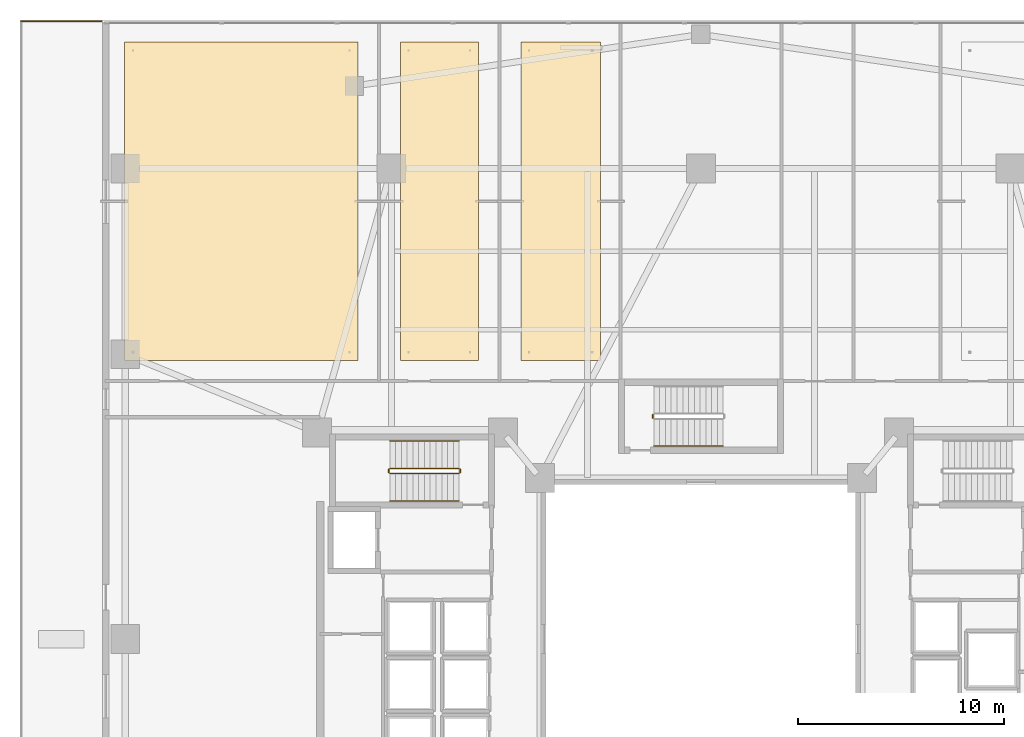
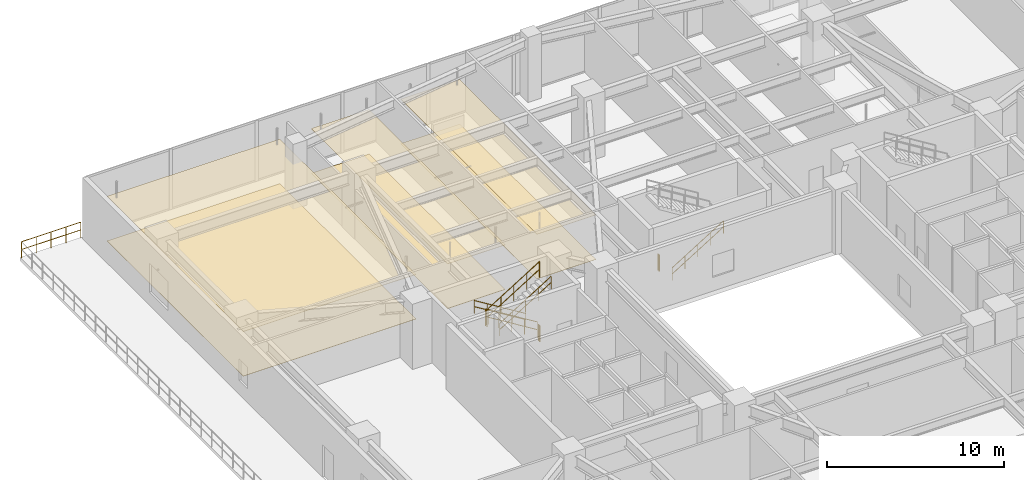
# One storey, part 28 of 29: 9 railings, 6 coverings.
"""IFC4 building model written with IfcOpenShell, lengths in metres."""

from ifc_helpers import new_model, si_unit, direction, frame, origin, origin_2d, place, context, subcontext, project, spatial, polyline, circle, outline, extrude, material, layer, layer_set, type_object, element, save


model = new_model("IFC4")

# Units and contexts
model_context = context("Model", 3, precision=1e-05, world=origin(), true_north=direction((0.0, 1.0)))
body_context = subcontext(model_context, "Body", "Model", "MODEL_VIEW")
ifc_project = project(units=[si_unit("LENGTHUNIT", "METRE"), si_unit("AREAUNIT", "SQUARE_METRE"), si_unit("VOLUMEUNIT", "CUBIC_METRE"), si_unit("PLANEANGLEUNIT", "RADIAN"), si_unit("MASSUNIT", "GRAM", prefix="KILO")], contexts=[model_context])

# Site, building, storey
site_placement = place(None, origin())
site = spatial("IfcSite", under=ifc_project, at=site_placement, CompositionType="ELEMENT")
building_placement = place(site_placement, origin())
building = spatial("IfcBuilding", under=site, at=building_placement, Name="Tarnavaz Court Tower", CompositionType="ELEMENT")
storey_placement = place(building_placement, frame((0.0, 0.0, 5.39990234375)))
storey = spatial("IfcBuildingStorey", under=building, at=storey_placement, Name="L01", CompositionType="ELEMENT", Elevation=5.39990234375)

# Coverings
ifc_material_1 = material(Name="Perforated Gypsum Acoustic Ceiling Tile", Category="masonry")
ifc_layer_1 = layer(ifc_material_1, 0.02490234375)
ifc_layer_set_1 = layer_set([ifc_layer_1], Name="Perforated Gypsum Acoustic Ceiling Tile")
covering_type_1 = type_object("IfcCoveringType", Name="CV-CEIL-AC", PredefinedType="CEILING", material=ifc_layer_set_1)
covering_1_placement = place(storey_placement, frame((0.0, 0.0, 3.080078125)))
element("IfcCovering", 1, at=covering_1_placement, inside=storey, type_object=covering_type_1, Name="L01 Outpatient Clinical Waiting Lounge West Suspended Acoustic Ceiling", PredefinedType="CEILING", context=body_context, shape_type="SweptSolid", body=[
    extrude(outline(polyline([(-27.929931640625, 13.5), (-16.6298828125, 13.5), (-16.6298828125, 28.929931640625), (-27.929931640625, 28.929931640625), (-27.929931640625, 13.5)])), origin(), (0.0, 0.0, 1.0), 0.02490234375),
])
covering_2_placement = place(storey_placement, frame((0.0, 0.0, 3.080078125)))
element("IfcCovering", 2, at=covering_2_placement, inside=storey, type_object=covering_type_1, Name="L01 General Practice Examination Suite Suspended Acoustic Ceiling", PredefinedType="CEILING", context=body_context, shape_type="SweptSolid", body=[
    extrude(outline(polyline([(-14.570068359375, 13.5), (-10.7900390625, 13.5), (-10.7900390625, 28.929931640625), (-14.570068359375, 28.929931640625), (-14.570068359375, 13.5)])), origin(), (0.0, 0.0, 1.0), 0.02490234375),
])
covering_3_placement = place(storey_placement, frame((0.0, 0.0, 3.080078125)))
element("IfcCovering", 3, at=covering_3_placement, inside=storey, type_object=covering_type_1, Name="L01 L01 Consultation Room North Suspended Acoustic Ceiling", PredefinedType="CEILING", context=body_context, shape_type="SweptSolid", body=[
    extrude(outline(polyline([(-8.72998046875, 13.5), (-4.8701171875, 13.5), (-4.8701171875, 28.929931640625), (-8.72998046875, 28.929931640625), (-8.72998046875, 13.5)])), origin(), (0.0, 0.0, 1.0), 0.02490234375),
])
ifc_material_2 = material(Name="Glazed Khorasan Porcelain Floor Tile", Category="masonry")
ifc_layer_2 = layer(ifc_material_2, 0.02001953125)
ifc_layer_set_2 = layer_set([ifc_layer_2], Name="Glazed Khorasan Porcelain Floor Tile")
covering_type_2 = type_object("IfcCoveringType", Name="CV-FLR-PORC", PredefinedType="FLOORING", material=ifc_layer_set_2)
covering_4_placement = place(storey_placement, origin())
element("IfcCovering", 4, at=covering_4_placement, inside=storey, type_object=covering_type_2, Name="L01 Outpatient Clinical Waiting Lounge West Porcelain Floor Finish", PredefinedType="FLOORING", context=body_context, shape_type="SweptSolid", body=[
    extrude(outline(polyline([(-27.929931640625, 13.5), (-16.6298828125, 13.5), (-16.6298828125, 28.929931640625), (-27.929931640625, 28.929931640625), (-27.929931640625, 13.5)])), origin(), (0.0, 0.0, 1.0), 0.02001953125),
])
covering_5_placement = place(storey_placement, origin())
element("IfcCovering", 5, at=covering_5_placement, inside=storey, type_object=covering_type_2, Name="L01 General Practice Examination Suite Porcelain Floor Finish", PredefinedType="FLOORING", context=body_context, shape_type="SweptSolid", body=[
    extrude(outline(polyline([(-14.570068359375, 13.5), (-10.7900390625, 13.5), (-10.7900390625, 28.929931640625), (-14.570068359375, 28.929931640625), (-14.570068359375, 13.5)])), origin(), (0.0, 0.0, 1.0), 0.02001953125),
])
covering_6_placement = place(storey_placement, origin())
element("IfcCovering", 6, at=covering_6_placement, inside=storey, type_object=covering_type_2, Name="L01 L01 Consultation Room North Porcelain Floor Finish", PredefinedType="FLOORING", context=body_context, shape_type="SweptSolid", body=[
    extrude(outline(polyline([(-8.72998046875, 13.5), (-4.8701171875, 13.5), (-4.8701171875, 28.929931640625), (-8.72998046875, 28.929931640625), (-8.72998046875, 13.5)])), origin(), (0.0, 0.0, 1.0), 0.02001953125),
])

# Railings
ifc_material_3 = material(Name="Anodised Aluminium 6063-T6 and Laminated Safety Glass", Category="aluminium")
railing_type_1 = type_object("IfcRailingType", Name="RL-BAL-1120", PredefinedType="BALUSTRADE", material=ifc_material_3)
railing_1_placement = place(storey_placement, frame((-29.06005859375, 29.93994140625, 0.0)))
element("IfcRailing", 7, at=railing_1_placement, inside=storey, type_object=railing_type_1, Name="L01 Terrace 1 N Perimeter Balustrade", PredefinedType="BALUSTRADE", context=body_context, shape_type="SweptSolid", body=[
    extrude(circle(Radius=0.02392578125, at=origin_2d()), frame((0.0, 0.0, 1.09619140625), z_axis=(-1.0, 0.0, 0.0), x_axis=(0.0, -1.0, 0.0)), (0.0, 0.0, 1.0), 3.8798828125),
    extrude(circle(Radius=0.02392578125, at=origin_2d()), frame((0.0, 0.0, 0.56005859375), z_axis=(-1.0, 0.0, 0.0), x_axis=(0.0, -1.0, 0.0)), (0.0, 0.0, 1.0), 3.8798828125),
    extrude(circle(Radius=0.02099609375, at=origin_2d()), origin(), (0.0, 0.0, 1.0), 1.072021484375),
    extrude(circle(Radius=0.02099609375, at=origin_2d()), frame((-0.969970703125, 0.0, 0.0)), (0.0, 0.0, 1.0), 1.072021484375),
    extrude(circle(Radius=0.02099609375, at=origin_2d()), frame((-1.93994140625, 0.0, 0.0)), (0.0, 0.0, 1.0), 1.072021484375),
    extrude(circle(Radius=0.02099609375, at=origin_2d()), frame((-2.909912109375, 0.0, 0.0)), (0.0, 0.0, 1.0), 1.072021484375),
    extrude(circle(Radius=0.02099609375, at=origin_2d()), frame((-3.8798828125, 0.0, 0.0)), (0.0, 0.0, 1.0), 1.072021484375),
])
ifc_material_4 = material(Name="Brushed Stainless Steel", Category="steel")
railing_type_2 = type_object("IfcRailingType", Name="RL-HANDRAIL-900", PredefinedType="HANDRAIL", material=ifc_material_4)
railing_2_placement = place(storey_placement, frame((-11.719970703125, 9.590087890625, 0.173095703125)))
element("IfcRailing", 8, at=railing_2_placement, inside=storey, type_object=railing_type_2, Name="L01 ST-W1 stair handrail 1", PredefinedType="HANDRAIL", context=body_context, shape_type="SweptSolid", body=[
    extrude(circle(Radius=0.02392578125, at=origin_2d()), frame((0.0, 0.0, 0.8759765625), z_axis=(-0.850623216509, 0.0, 0.525775754039), x_axis=(0.0, -1.0, 0.0)), (0.0, 0.0, 1.0), 3.9501953125),
    extrude(circle(Radius=0.02392578125, at=origin_2d()), frame((0.0, 0.0, 0.449951171875), z_axis=(-0.850623216509, 0.0, 0.525775754039), x_axis=(0.0, -1.0, 0.0)), (0.0, 0.0, 1.0), 3.9501953125),
    extrude(circle(Radius=0.02099609375, at=origin_2d()), origin(), (0.0, 0.0, 1.0), 0.851806640625),
    extrude(circle(Radius=0.02099609375, at=origin_2d()), frame((-0.840087890625, 0.0, 0.519287109375)), (0.0, 0.0, 1.0), 0.851806640625),
    extrude(circle(Radius=0.02099609375, at=origin_2d()), frame((-1.68017578125, 0.0, 1.03857421875)), (0.0, 0.0, 1.0), 0.851806640625),
    extrude(circle(Radius=0.02099609375, at=origin_2d()), frame((-2.52001953125, 0.0, 1.5576171875)), (0.0, 0.0, 1.0), 0.851806640625),
    extrude(circle(Radius=0.02099609375, at=origin_2d()), frame((-3.360107421875, 0.0, 2.076904296875)), (0.0, 0.0, 1.0), 0.851806640625),
])
for number, where, name in (
    (9, (-15.080078125, 6.699951171875, 2.423095703125), "L01 ST-W1 stair handrail 2"),
    (10, (-2.280029296875, 9.35009765625, 0.173095703125), "L01 ST-N1 stair handrail 1"),
):
    element("IfcRailing", number, at=place(storey_placement, frame(where)), inside=storey, type_object=railing_type_2, Name=name, PredefinedType="HANDRAIL", context=body_context, shape_type="SweptSolid", body=[
        extrude(circle(Radius=0.02392578125, at=origin_2d()), frame((0.0, 0.0, 0.8759765625), z_axis=(0.850623216509, 0.0, 0.525775754039), x_axis=(0.0, 1.0, 0.0)), (0.0, 0.0, 1.0), 3.9501953125),
        extrude(circle(Radius=0.02392578125, at=origin_2d()), frame((0.0, 0.0, 0.449951171875), z_axis=(0.850623216509, 0.0, 0.525775754039), x_axis=(0.0, 1.0, 0.0)), (0.0, 0.0, 1.0), 3.9501953125),
        extrude(circle(Radius=0.02099609375, at=origin_2d()), origin(), (0.0, 0.0, 1.0), 0.851806640625),
        extrude(circle(Radius=0.02099609375, at=origin_2d()), frame((0.840087890625, 0.0, 0.519287109375)), (0.0, 0.0, 1.0), 0.851806640625),
        extrude(circle(Radius=0.02099609375, at=origin_2d()), frame((1.68017578125, 0.0, 1.03857421875)), (0.0, 0.0, 1.0), 0.851806640625),
        extrude(circle(Radius=0.02099609375, at=origin_2d()), frame((2.52001953125, 0.0, 1.5576171875)), (0.0, 0.0, 1.0), 0.851806640625),
        extrude(circle(Radius=0.02099609375, at=origin_2d()), frame((3.360107421875, 0.0, 2.076904296875)), (0.0, 0.0, 1.0), 0.851806640625),
    ])
ifc_material_5 = material(Name="Galvanized Painted Tubular Steel", Category="steel")
railing_type_3 = type_object("IfcRailingType", Name="RL-STGUARD-1120", PredefinedType="GUARDRAIL", material=ifc_material_5)
railing_3_placement = place(storey_placement, frame((-11.719970703125, 8.27001953125, 0.173095703125)))
element("IfcRailing", 11, at=railing_3_placement, inside=storey, type_object=railing_type_3, Name="L01 ST-W1 stair guard 1", PredefinedType="GUARDRAIL", context=body_context, shape_type="SweptSolid", body=[
    extrude(circle(Radius=0.02392578125, at=origin_2d()), frame((0.0, 0.0, 1.09619140625), z_axis=(-0.850623216509, 0.0, 0.525775754039), x_axis=(0.0, -1.0, 0.0)), (0.0, 0.0, 1.0), 3.9501953125),
    extrude(circle(Radius=0.02392578125, at=origin_2d()), frame((0.0, 0.0, 0.56005859375), z_axis=(-0.850623216509, 0.0, 0.525775754039), x_axis=(0.0, -1.0, 0.0)), (0.0, 0.0, 1.0), 3.9501953125),
    extrude(circle(Radius=0.02099609375, at=origin_2d()), origin(), (0.0, 0.0, 1.0), 1.072021484375),
    extrude(circle(Radius=0.02099609375, at=origin_2d()), frame((-0.840087890625, 0.0, 0.519287109375)), (0.0, 0.0, 1.0), 1.072021484375),
    extrude(circle(Radius=0.02099609375, at=origin_2d()), frame((-1.68017578125, 0.0, 1.03857421875)), (0.0, 0.0, 1.0), 1.072021484375),
    extrude(circle(Radius=0.02099609375, at=origin_2d()), frame((-2.52001953125, 0.0, 1.5576171875)), (0.0, 0.0, 1.0), 1.072021484375),
    extrude(circle(Radius=0.02099609375, at=origin_2d()), frame((-3.360107421875, 0.0, 2.076904296875)), (0.0, 0.0, 1.0), 1.072021484375),
])
railing_4_placement = place(storey_placement, frame((-15.1298828125, 8.219970703125, 2.25)))
element("IfcRailing", 12, at=railing_4_placement, inside=storey, type_object=railing_type_3, Name="L01 ST-W1 stair guard 2", PredefinedType="GUARDRAIL", context=body_context, shape_type="SweptSolid", body=[
    extrude(circle(Radius=0.02392578125, at=origin_2d()), frame((0.0, 0.0, 1.09619140625), z_axis=(0.0, -1.0, 0.0), x_axis=(1.0, 0.0, 0.0)), (0.0, 0.0, 1.0), 0.14990234375),
    extrude(circle(Radius=0.02392578125, at=origin_2d()), frame((0.0, 0.0, 0.56005859375), z_axis=(0.0, -1.0, 0.0), x_axis=(1.0, 0.0, 0.0)), (0.0, 0.0, 1.0), 0.14990234375),
    extrude(circle(Radius=0.02099609375, at=origin_2d()), origin(), (0.0, 0.0, 1.0), 1.072021484375),
    extrude(circle(Radius=0.02099609375, at=origin_2d()), frame((0.0, -0.14990234375, 0.0)), (0.0, 0.0, 1.0), 1.072021484375),
])
railing_5_placement = place(storey_placement, frame((-15.080078125, 8.02001953125, 2.423095703125)))
element("IfcRailing", 13, at=railing_5_placement, inside=storey, type_object=railing_type_3, Name="L01 ST-W1 stair guard 3", PredefinedType="GUARDRAIL", context=body_context, shape_type="SweptSolid", body=[
    extrude(circle(Radius=0.02392578125, at=origin_2d()), frame((0.0, 0.0, 1.09619140625), z_axis=(0.850623216509, 0.0, 0.525775754039), x_axis=(0.0, 1.0, 0.0)), (0.0, 0.0, 1.0), 3.9501953125),
    extrude(circle(Radius=0.02392578125, at=origin_2d()), frame((0.0, 0.0, 0.56005859375), z_axis=(0.850623216509, 0.0, 0.525775754039), x_axis=(0.0, 1.0, 0.0)), (0.0, 0.0, 1.0), 3.9501953125),
    extrude(circle(Radius=0.02099609375, at=origin_2d()), origin(), (0.0, 0.0, 1.0), 1.072021484375),
    extrude(circle(Radius=0.02099609375, at=origin_2d()), frame((0.840087890625, 0.0, 0.519287109375)), (0.0, 0.0, 1.0), 1.072021484375),
    extrude(circle(Radius=0.02099609375, at=origin_2d()), frame((1.68017578125, 0.0, 1.03857421875)), (0.0, 0.0, 1.0), 1.072021484375),
    extrude(circle(Radius=0.02099609375, at=origin_2d()), frame((2.52001953125, 0.0, 1.5576171875)), (0.0, 0.0, 1.0), 1.072021484375),
    extrude(circle(Radius=0.02099609375, at=origin_2d()), frame((3.360107421875, 0.0, 2.076904296875)), (0.0, 0.0, 1.0), 1.072021484375),
])
railing_6_placement = place(storey_placement, frame((-11.669921875, 8.219970703125, 0.0)))
element("IfcRailing", 14, at=railing_6_placement, inside=storey, type_object=railing_type_3, Name="L01 ST-W1 stair guard 4", PredefinedType="GUARDRAIL", context=body_context, shape_type="SweptSolid", body=[
    extrude(circle(Radius=0.02392578125, at=origin_2d()), frame((0.0, 0.0, 1.09619140625), z_axis=(0.0, -1.0, 0.0), x_axis=(1.0, 0.0, 0.0)), (0.0, 0.0, 1.0), 0.14990234375),
    extrude(circle(Radius=0.02392578125, at=origin_2d()), frame((0.0, 0.0, 0.56005859375), z_axis=(0.0, -1.0, 0.0), x_axis=(1.0, 0.0, 0.0)), (0.0, 0.0, 1.0), 0.14990234375),
    extrude(circle(Radius=0.02099609375, at=origin_2d()), origin(), (0.0, 0.0, 1.0), 1.072021484375),
    extrude(circle(Radius=0.02099609375, at=origin_2d()), frame((0.0, -0.14990234375, 0.0)), (0.0, 0.0, 1.0), 1.072021484375),
])
railing_7_placement = place(storey_placement, frame((-2.330078125, 10.719970703125, 0.0)))
element("IfcRailing", 15, at=railing_7_placement, inside=storey, type_object=railing_type_3, Name="L01 ST-N1 stair guard 4", PredefinedType="GUARDRAIL", context=body_context, shape_type="SweptSolid", body=[
    extrude(circle(Radius=0.02392578125, at=origin_2d()), frame((0.0, 0.0, 1.09619140625), z_axis=(0.0, 1.0, 0.0), x_axis=(-1.0, 0.0, 0.0)), (0.0, 0.0, 1.0), 0.150146484375),
    extrude(circle(Radius=0.02392578125, at=origin_2d()), frame((0.0, 0.0, 0.56005859375), z_axis=(0.0, 1.0, 0.0), x_axis=(-1.0, 0.0, 0.0)), (0.0, 0.0, 1.0), 0.150146484375),
    extrude(circle(Radius=0.02099609375, at=origin_2d()), origin(), (0.0, 0.0, 1.0), 1.072021484375),
    extrude(circle(Radius=0.02099609375, at=origin_2d()), frame((0.0, 0.150146484375, 0.0)), (0.0, 0.0, 1.0), 1.072021484375),
])

save(model, "model.ifc")
